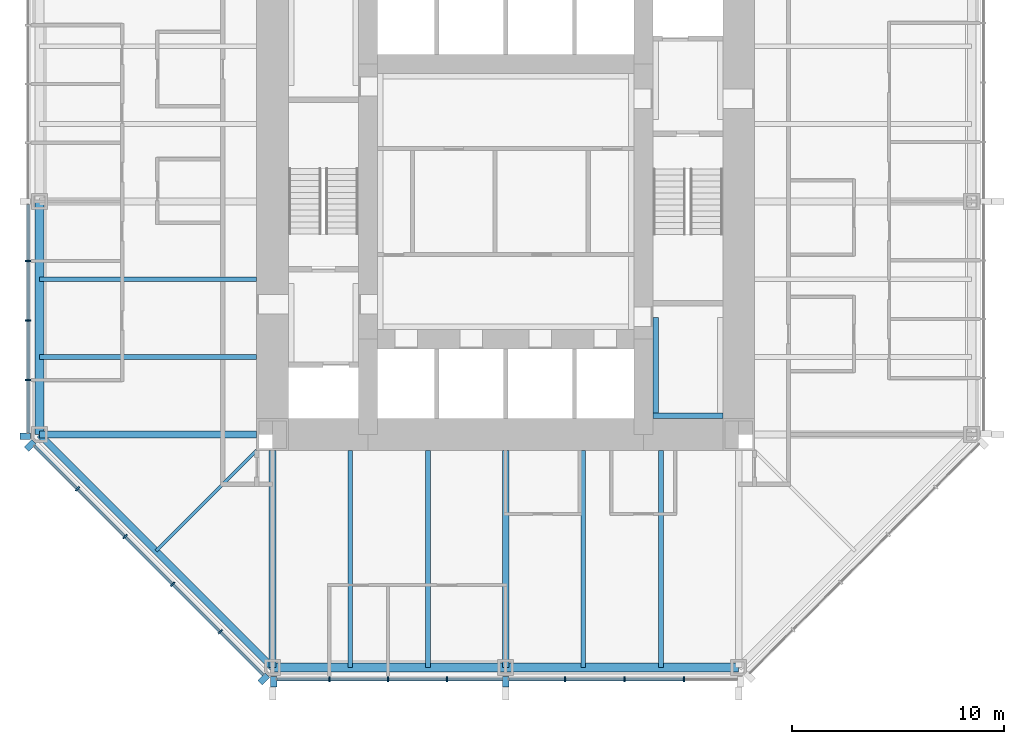
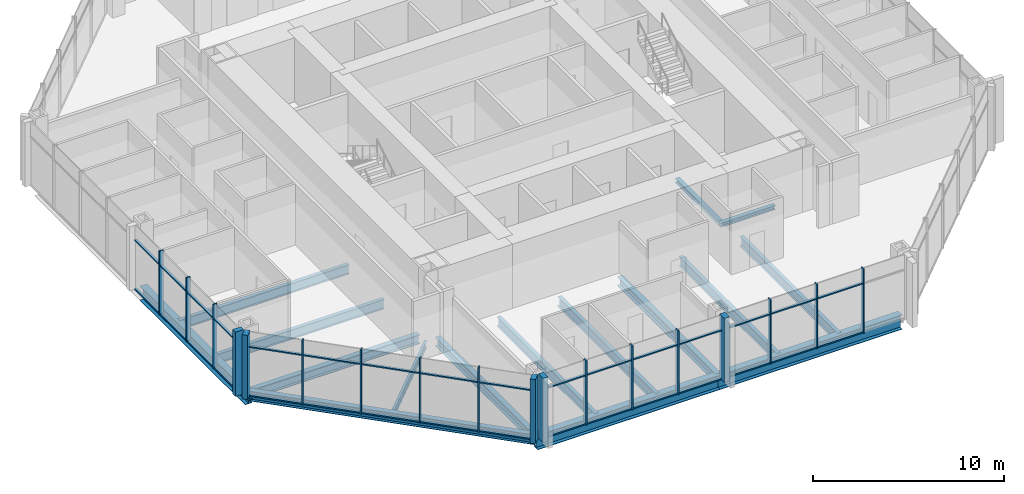
# One storey, part 2 of 12: 50 members, 16 beams, 3 elements without a shape of their own.
"""IFC4 building model written with IfcOpenShell, lengths in metres."""

from ifc_helpers import new_model, si_unit, direction, frame, origin, origin_2d, place, context, subcontext, project, spatial, rectangle, i_section, extrude, material, material_profile, profile_set, type_object, element, aggregate, save


model = new_model("IFC4")

# Units and contexts
model_context = context("Model", 3, precision=1e-05, world=origin(), true_north=direction((0.0, 1.0)))
body_context = subcontext(model_context, "Body", "Model", "MODEL_VIEW")
ifc_project = project(units=[si_unit("LENGTHUNIT", "METRE"), si_unit("AREAUNIT", "SQUARE_METRE"), si_unit("VOLUMEUNIT", "CUBIC_METRE"), si_unit("PLANEANGLEUNIT", "RADIAN"), si_unit("MASSUNIT", "GRAM", prefix="KILO")], contexts=[model_context])

# Site, building, storey
site_placement = place(None, origin())
site = spatial("IfcSite", under=ifc_project, at=site_placement, CompositionType="ELEMENT")
building_placement = place(site_placement, origin())
building = spatial("IfcBuilding", under=site, at=building_placement, Name="Trevanion Tower", CompositionType="ELEMENT")
storey_placement = place(building_placement, frame((0.0, 0.0, 121.300048828125)))
storey = spatial("IfcBuildingStorey", under=building, at=storey_placement, Name="L28", CompositionType="ELEMENT", Elevation=121.300048828125)

# Beams
ifc_material_1 = material(Name="Steel ASTM A992 Grade 50", Category="steel")
ifc_material_profile_1 = material_profile(ifc_material_1, i_section(OverallWidth=0.22900390625, OverallDepth=0.612060546875, WebThickness=0.011962890625, FlangeThickness=0.01953125, at=origin_2d()), Name="W24X84")
ifc_profile_set_1 = profile_set([ifc_material_profile_1], Name="Steel ASTM A992 Grade 50")
beam_type_1 = type_object("IfcBeamType", Name="B7 W24X84", PredefinedType="BEAM", material=ifc_profile_set_1)
for number, where, z_axis, x_axis, name in (
    (1, (-11.75, -3.666748046875, -0.49609375), (-1.0, 0.0, 0.0), (0.0, -1.0, 0.0), "B7 L28"),
    (2, (-11.75, -7.333251953125, -0.49609375), (-1.0, 0.0, 0.0), (0.0, -1.0, 0.0), "B7 L28"),
    (3, (-7.333251953125, -11.75, -0.49609375), (0.0, -1.0, 0.0), (1.0, 0.0, 0.0), "B7 L28"),
    (4, (-3.666748046875, -11.75, -0.49609375), (0.0, -1.0, 0.0), (1.0, 0.0, 0.0), "B7 L28"),
    (5, (3.666748046875, -11.75, -0.49609375), (0.0, -1.0, 0.0), (1.0, 0.0, 0.0), "B7 L28"),
    (6, (7.333251953125, -11.75, -0.49609375), (0.0, -1.0, 0.0), (1.0, 0.0, 0.0), "B7 L28"),
):
    element("IfcBeam", number, at=place(storey_placement, frame(where, z_axis=z_axis, x_axis=x_axis)), inside=storey, type_object=beam_type_1, Name=name, PredefinedType="BEAM", context=body_context, shape_type="SweptSolid", body=[
        extrude(i_section(OverallWidth=0.22900390625, OverallDepth=0.612060546875, WebThickness=0.011962890625, FlangeThickness=0.01953125, at=origin_2d()), origin(), (0.0, 0.0, 1.0), 10.25),
    ])
ifc_material_2 = material(Name="Steel ASTM A992 Grade 50", Category="steel")
ifc_material_profile_2 = material_profile(ifc_material_2, i_section(OverallWidth=0.15234375, OverallDepth=0.449462890625, WebThickness=0.007568359375, FlangeThickness=0.0107421875, at=origin_2d()), Name="W18X35")
ifc_profile_set_2 = profile_set([ifc_material_profile_2], Name="Steel ASTM A992 Grade 50")
beam_type_2 = type_object("IfcBeamType", Name="B8 W18X35", PredefinedType="BEAM", material=ifc_profile_set_2)
beam_1_placement = place(storey_placement, frame((-11.75, -11.75, -0.414794921875), z_axis=(-0.707106781187, -0.707106781187, 0.0), x_axis=(0.707106781187, -0.707106781187, 0.0)))
element("IfcBeam", 7, at=beam_1_placement, inside=storey, type_object=beam_type_2, Name="B8 L28", PredefinedType="BEAM", context=body_context, shape_type="SweptSolid", body=[
    extrude(i_section(OverallWidth=0.15234375, OverallDepth=0.449462890625, WebThickness=0.007568359375, FlangeThickness=0.0107421875, at=origin_2d()), origin(), (0.0, 0.0, 1.0), 6.717529296875),
])

# Curtain wall, members
ifc_material_3 = material(Name="Aluminium and glass", Category="aluminium")
curtain_wall_type = type_object("IfcCurtainWallType", Name="CW2 curtain wall", PredefinedType="USERDEFINED", material=ifc_material_3)
curtain_wall_1_placement = place(storey_placement, origin())
curtain_wall_1 = element("IfcCurtainWall", 8, at=curtain_wall_1_placement, inside=storey, type_object=curtain_wall_type, Name="CW2 L28 4", ObjectType="UNITISED CURTAIN WALL", PredefinedType="USERDEFINED")
ifc_material_4 = material(Name="Aluminium extrusion, anodised bronze", Category="aluminium")
ifc_material_profile_3 = material_profile(ifc_material_4, rectangle(XDim=0.074951171875, YDim=0.25, at=origin_2d()), Name="CW2 mullion")
ifc_profile_set_3 = profile_set([ifc_material_profile_3], Name="Aluminium extrusion, anodised bronze")
member_type_1 = type_object("IfcMemberType", Name="CW2 mullion", PredefinedType="MULLION", material=ifc_profile_set_3)
member_1_placement = place(storey_placement, frame((-22.550048828125, -2.806884765625, -0.18994140625), z_axis=(0.0, 0.0, 1.0), x_axis=(0.0, -1.0, 0.0)))
member_1 = element("IfcMember", 9, at=member_1_placement, type_object=member_type_1, Name="CW2 mullion 6", PredefinedType="MULLION", context=body_context, shape_type="SweptSolid", body=[
    extrude(rectangle(XDim=0.074951171875, YDim=0.25, at=origin_2d()), origin(), (0.0, 0.0, 1.0), 4.099853515625),
])
member_2_placement = place(storey_placement, frame((-22.550048828125, -5.614013671875, -0.18994140625), z_axis=(0.0, 0.0, 1.0), x_axis=(0.0, -1.0, 0.0)))
member_2 = element("IfcMember", 10, at=member_2_placement, type_object=member_type_1, Name="CW2 mullion 7", PredefinedType="MULLION", context=body_context, shape_type="SweptSolid", body=[
    extrude(rectangle(XDim=0.074951171875, YDim=0.25, at=origin_2d()), origin(), (0.0, 0.0, 1.0), 4.099853515625),
])
member_3_placement = place(storey_placement, frame((-22.550048828125, -8.4208984375, -0.18994140625), z_axis=(0.0, 0.0, 1.0), x_axis=(0.0, -1.0, 0.0)))
member_3 = element("IfcMember", 11, at=member_3_placement, type_object=member_type_1, Name="CW2 mullion 8", PredefinedType="MULLION", context=body_context, shape_type="SweptSolid", body=[
    extrude(rectangle(XDim=0.074951171875, YDim=0.25, at=origin_2d()), origin(), (0.0, 0.0, 1.0), 4.099853515625),
])

curtain_wall_2_placement = place(storey_placement, origin())
curtain_wall_2 = element("IfcCurtainWall", 12, at=curtain_wall_2_placement, inside=storey, type_object=curtain_wall_type, Name="CW2 L28 5", ObjectType="UNITISED CURTAIN WALL", PredefinedType="USERDEFINED")
member_4_placement = place(storey_placement, frame((-20.2119140625, -13.56591796875, -0.18994140625), z_axis=(0.0, 0.0, 1.0), x_axis=(0.707106781187, -0.707106781187, 0.0)))
member_4 = element("IfcMember", 13, at=member_4_placement, type_object=member_type_1, Name="CW2 mullion 2", PredefinedType="MULLION", context=body_context, shape_type="SweptSolid", body=[
    extrude(rectangle(XDim=0.074951171875, YDim=0.25, at=origin_2d()), origin(), (0.0, 0.0, 1.0), 4.099853515625),
])
member_5_placement = place(storey_placement, frame((-17.966064453125, -15.811767578125, -0.18994140625), z_axis=(0.0, 0.0, 1.0), x_axis=(0.707106781187, -0.707106781187, 0.0)))
member_5 = element("IfcMember", 14, at=member_5_placement, type_object=member_type_1, Name="CW2 mullion 3", PredefinedType="MULLION", context=body_context, shape_type="SweptSolid", body=[
    extrude(rectangle(XDim=0.074951171875, YDim=0.25, at=origin_2d()), origin(), (0.0, 0.0, 1.0), 4.099853515625),
])
member_6_placement = place(storey_placement, frame((-15.719970703125, -18.057861328125, -0.18994140625), z_axis=(0.0, 0.0, 1.0), x_axis=(0.707106781187, -0.707106781187, 0.0)))
member_6 = element("IfcMember", 15, at=member_6_placement, type_object=member_type_1, Name="CW2 mullion 4", PredefinedType="MULLION", context=body_context, shape_type="SweptSolid", body=[
    extrude(rectangle(XDim=0.074951171875, YDim=0.25, at=origin_2d()), origin(), (0.0, 0.0, 1.0), 4.099853515625),
])
member_7_placement = place(storey_placement, frame((-13.473876953125, -20.303955078125, -0.18994140625), z_axis=(0.0, 0.0, 1.0), x_axis=(0.707106781187, -0.707106781187, 0.0)))
member_7 = element("IfcMember", 16, at=member_7_placement, type_object=member_type_1, Name="CW2 mullion 5", PredefinedType="MULLION", context=body_context, shape_type="SweptSolid", body=[
    extrude(rectangle(XDim=0.074951171875, YDim=0.25, at=origin_2d()), origin(), (0.0, 0.0, 1.0), 4.099853515625),
])

curtain_wall_3_placement = place(storey_placement, origin())
curtain_wall_3 = element("IfcCurtainWall", 17, at=curtain_wall_3_placement, inside=storey, type_object=curtain_wall_type, Name="CW2 L28 6", ObjectType="UNITISED CURTAIN WALL", PredefinedType="USERDEFINED")
member_8_placement = place(storey_placement, frame((-8.323486328125, -22.550048828125, -0.18994140625), z_axis=(0.0, 0.0, 1.0), x_axis=(1.0, 0.0, 0.0)))
member_8 = element("IfcMember", 18, at=member_8_placement, type_object=member_type_1, Name="CW2 mullion 2", PredefinedType="MULLION", context=body_context, shape_type="SweptSolid", body=[
    extrude(rectangle(XDim=0.074951171875, YDim=0.25, at=origin_2d()), origin(), (0.0, 0.0, 1.0), 4.099853515625),
])
member_9_placement = place(storey_placement, frame((-5.548828125, -22.550048828125, -0.18994140625), z_axis=(0.0, 0.0, 1.0), x_axis=(1.0, 0.0, 0.0)))
member_9 = element("IfcMember", 19, at=member_9_placement, type_object=member_type_1, Name="CW2 mullion 3", PredefinedType="MULLION", context=body_context, shape_type="SweptSolid", body=[
    extrude(rectangle(XDim=0.074951171875, YDim=0.25, at=origin_2d()), origin(), (0.0, 0.0, 1.0), 4.099853515625),
])
member_10_placement = place(storey_placement, frame((-2.7744140625, -22.550048828125, -0.18994140625), z_axis=(0.0, 0.0, 1.0), x_axis=(1.0, 0.0, 0.0)))
member_10 = element("IfcMember", 20, at=member_10_placement, type_object=member_type_1, Name="CW2 mullion 4", PredefinedType="MULLION", context=body_context, shape_type="SweptSolid", body=[
    extrude(rectangle(XDim=0.074951171875, YDim=0.25, at=origin_2d()), origin(), (0.0, 0.0, 1.0), 4.099853515625),
])
member_11_placement = place(storey_placement, frame((2.806884765625, -22.550048828125, -0.18994140625), z_axis=(0.0, 0.0, 1.0), x_axis=(1.0, 0.0, 0.0)))
member_11 = element("IfcMember", 21, at=member_11_placement, type_object=member_type_1, Name="CW2 mullion 6", PredefinedType="MULLION", context=body_context, shape_type="SweptSolid", body=[
    extrude(rectangle(XDim=0.074951171875, YDim=0.25, at=origin_2d()), origin(), (0.0, 0.0, 1.0), 4.099853515625),
])
member_12_placement = place(storey_placement, frame((5.614013671875, -22.550048828125, -0.18994140625), z_axis=(0.0, 0.0, 1.0), x_axis=(1.0, 0.0, 0.0)))
member_12 = element("IfcMember", 22, at=member_12_placement, type_object=member_type_1, Name="CW2 mullion 7", PredefinedType="MULLION", context=body_context, shape_type="SweptSolid", body=[
    extrude(rectangle(XDim=0.074951171875, YDim=0.25, at=origin_2d()), origin(), (0.0, 0.0, 1.0), 4.099853515625),
])
member_13_placement = place(storey_placement, frame((8.4208984375, -22.550048828125, -0.18994140625), z_axis=(0.0, 0.0, 1.0), x_axis=(1.0, 0.0, 0.0)))
member_13 = element("IfcMember", 23, at=member_13_placement, type_object=member_type_1, Name="CW2 mullion 8", PredefinedType="MULLION", context=body_context, shape_type="SweptSolid", body=[
    extrude(rectangle(XDim=0.074951171875, YDim=0.25, at=origin_2d()), origin(), (0.0, 0.0, 1.0), 4.099853515625),
])

# Member
ifc_material_5 = material(Name="Aluminium extrusion, anodised bronze", Category="aluminium")
ifc_material_profile_4 = material_profile(ifc_material_5, rectangle(XDim=0.300048828125, YDim=0.5, at=origin_2d()), Name="CW2 pier mullion")
ifc_profile_set_4 = profile_set([ifc_material_profile_4], Name="Aluminium extrusion, anodised bronze")
member_type_2 = type_object("IfcMemberType", Name="CW2 pier mullion", PredefinedType="MULLION", material=ifc_profile_set_4)
member_14_placement = place(storey_placement, frame((-22.675048828125, -11.077880859375, -0.18994140625), z_axis=(0.0, 0.0, 1.0), x_axis=(0.0, -1.0, 0.0)))
member_14 = element("IfcMember", 24, at=member_14_placement, type_object=member_type_2, Name="CW2 pier mullion 9", PredefinedType="MULLION", context=body_context, shape_type="SweptSolid", body=[
    extrude(rectangle(XDim=0.300048828125, YDim=0.5, at=origin_2d()), origin(), (0.0, 0.0, 1.0), 4.099853515625),
])

member_15_placement = place(storey_placement, frame((-22.4404296875, -11.51416015625, -0.18994140625), z_axis=(0.0, 0.0, 1.0), x_axis=(0.707106781187, -0.707106781187, 0.0)))
member_15 = element("IfcMember", 25, at=member_15_placement, type_object=member_type_2, Name="CW2 pier mullion 1", PredefinedType="MULLION", context=body_context, shape_type="SweptSolid", body=[
    extrude(rectangle(XDim=0.300048828125, YDim=0.5, at=origin_2d()), origin(), (0.0, 0.0, 1.0), 4.099853515625),
])

member_16_placement = place(storey_placement, frame((-11.42236328125, -22.5322265625, -0.18994140625), z_axis=(0.0, 0.0, 1.0), x_axis=(0.707106781187, -0.707106781187, 0.0)))
member_16 = element("IfcMember", 26, at=member_16_placement, type_object=member_type_2, Name="CW2 pier mullion 6", PredefinedType="MULLION", context=body_context, shape_type="SweptSolid", body=[
    extrude(rectangle(XDim=0.300048828125, YDim=0.5, at=origin_2d()), origin(), (0.0, 0.0, 1.0), 4.099853515625),
])

member_17_placement = place(storey_placement, frame((-10.94775390625, -22.675048828125, -0.18994140625), z_axis=(0.0, 0.0, 1.0), x_axis=(1.0, 0.0, 0.0)))
member_17 = element("IfcMember", 27, at=member_17_placement, type_object=member_type_2, Name="CW2 pier mullion 1", PredefinedType="MULLION", context=body_context, shape_type="SweptSolid", body=[
    extrude(rectangle(XDim=0.300048828125, YDim=0.5, at=origin_2d()), origin(), (0.0, 0.0, 1.0), 4.099853515625),
])

member_18_placement = place(storey_placement, frame((0.0, -22.675048828125, -0.18994140625), z_axis=(0.0, 0.0, 1.0), x_axis=(1.0, 0.0, 0.0)))
member_18 = element("IfcMember", 28, at=member_18_placement, type_object=member_type_2, Name="CW2 pier mullion 5", PredefinedType="MULLION", context=body_context, shape_type="SweptSolid", body=[
    extrude(rectangle(XDim=0.300048828125, YDim=0.5, at=origin_2d()), origin(), (0.0, 0.0, 1.0), 4.099853515625),
])

ifc_material_6 = material(Name="Aluminium extrusion, anodised bronze", Category="aluminium")
ifc_material_profile_5 = material_profile(ifc_material_6, rectangle(XDim=0.14990234375, YDim=0.074951171875, at=origin_2d()), Name="CW2 transom")
ifc_profile_set_5 = profile_set([ifc_material_profile_5], Name="Aluminium extrusion, anodised bronze")
member_type_3 = type_object("IfcMemberType", Name="CW2 transom", PredefinedType="USERDEFINED", material=ifc_profile_set_5)
member_19_placement = place(storey_placement, frame((-22.550048828125, -0.14990234375, -0.152587890625), z_axis=(0.0, -1.0, 0.0), x_axis=(1.0, 0.0, 0.0)))
member_19 = element("IfcMember", 29, at=member_19_placement, type_object=member_type_3, Name="CW2 transom 5.1", ObjectType="TRANSOM", PredefinedType="USERDEFINED", context=body_context, shape_type="SweptSolid", body=[
    extrude(rectangle(XDim=0.14990234375, YDim=0.074951171875, at=origin_2d()), origin(), (0.0, 0.0, 1.0), 2.619384765625),
])

member_20_placement = place(storey_placement, frame((-22.550048828125, -0.14990234375, 2.9599609375), z_axis=(0.0, -1.0, 0.0), x_axis=(1.0, 0.0, 0.0)))
member_20 = element("IfcMember", 30, at=member_20_placement, type_object=member_type_3, Name="CW2 transom 5.2", ObjectType="TRANSOM", PredefinedType="USERDEFINED", context=body_context, shape_type="SweptSolid", body=[
    extrude(rectangle(XDim=0.14990234375, YDim=0.074951171875, at=origin_2d()), origin(), (0.0, 0.0, 1.0), 2.619384765625),
])

member_21_placement = place(storey_placement, frame((-22.550048828125, -2.844482421875, -0.152587890625), z_axis=(0.0, -1.0, 0.0), x_axis=(1.0, 0.0, 0.0)))
member_21 = element("IfcMember", 31, at=member_21_placement, type_object=member_type_3, Name="CW2 transom 6.1", ObjectType="TRANSOM", PredefinedType="USERDEFINED", context=body_context, shape_type="SweptSolid", body=[
    extrude(rectangle(XDim=0.14990234375, YDim=0.074951171875, at=origin_2d()), origin(), (0.0, 0.0, 1.0), 2.73193359375),
])

member_22_placement = place(storey_placement, frame((-22.550048828125, -2.844482421875, 2.9599609375), z_axis=(0.0, -1.0, 0.0), x_axis=(1.0, 0.0, 0.0)))
member_22 = element("IfcMember", 32, at=member_22_placement, type_object=member_type_3, Name="CW2 transom 6.2", ObjectType="TRANSOM", PredefinedType="USERDEFINED", context=body_context, shape_type="SweptSolid", body=[
    extrude(rectangle(XDim=0.14990234375, YDim=0.074951171875, at=origin_2d()), origin(), (0.0, 0.0, 1.0), 2.73193359375),
])

member_23_placement = place(storey_placement, frame((-22.550048828125, -5.6513671875, -0.152587890625), z_axis=(0.0, -1.0, 0.0), x_axis=(1.0, 0.0, 0.0)))
member_23 = element("IfcMember", 33, at=member_23_placement, type_object=member_type_3, Name="CW2 transom 7.1", ObjectType="TRANSOM", PredefinedType="USERDEFINED", context=body_context, shape_type="SweptSolid", body=[
    extrude(rectangle(XDim=0.14990234375, YDim=0.074951171875, at=origin_2d()), origin(), (0.0, 0.0, 1.0), 2.73193359375),
])

member_24_placement = place(storey_placement, frame((-22.550048828125, -5.6513671875, 2.9599609375), z_axis=(0.0, -1.0, 0.0), x_axis=(1.0, 0.0, 0.0)))
member_24 = element("IfcMember", 34, at=member_24_placement, type_object=member_type_3, Name="CW2 transom 7.2", ObjectType="TRANSOM", PredefinedType="USERDEFINED", context=body_context, shape_type="SweptSolid", body=[
    extrude(rectangle(XDim=0.14990234375, YDim=0.074951171875, at=origin_2d()), origin(), (0.0, 0.0, 1.0), 2.73193359375),
])

member_25_placement = place(storey_placement, frame((-22.550048828125, -8.45849609375, -0.152587890625), z_axis=(0.0, -1.0, 0.0), x_axis=(1.0, 0.0, 0.0)))
member_25 = element("IfcMember", 35, at=member_25_placement, type_object=member_type_3, Name="CW2 transom 8.1", ObjectType="TRANSOM", PredefinedType="USERDEFINED", context=body_context, shape_type="SweptSolid", body=[
    extrude(rectangle(XDim=0.14990234375, YDim=0.074951171875, at=origin_2d()), origin(), (0.0, 0.0, 1.0), 2.46923828125),
])

member_26_placement = place(storey_placement, frame((-22.550048828125, -8.45849609375, 2.9599609375), z_axis=(0.0, -1.0, 0.0), x_axis=(1.0, 0.0, 0.0)))
member_26 = element("IfcMember", 36, at=member_26_placement, type_object=member_type_3, Name="CW2 transom 8.2", ObjectType="TRANSOM", PredefinedType="USERDEFINED", context=body_context, shape_type="SweptSolid", body=[
    extrude(rectangle(XDim=0.14990234375, YDim=0.074951171875, at=origin_2d()), origin(), (0.0, 0.0, 1.0), 2.46923828125),
])

aggregate(curtain_wall_1, [member_1, member_2, member_3, member_14, member_19, member_20, member_21, member_22, member_23, member_24, member_25, member_26])

member_27_placement = place(storey_placement, frame((-22.245849609375, -11.531982421875, -0.152587890625), z_axis=(0.707106781187, -0.707106781187, 0.0), x_axis=(0.707106781187, 0.707106781187, 0.0)))
member_27 = element("IfcMember", 37, at=member_27_placement, type_object=member_type_3, Name="CW2 transom 1.1", ObjectType="TRANSOM", PredefinedType="USERDEFINED", context=body_context, shape_type="SweptSolid", body=[
    extrude(rectangle(XDim=0.14990234375, YDim=0.074951171875, at=origin_2d()), origin(), (0.0, 0.0, 1.0), 2.8388671875),
])

member_28_placement = place(storey_placement, frame((-22.245849609375, -11.531982421875, 2.9599609375), z_axis=(0.707106781187, -0.707106781187, 0.0), x_axis=(0.707106781187, 0.707106781187, 0.0)))
member_28 = element("IfcMember", 38, at=member_28_placement, type_object=member_type_3, Name="CW2 transom 1.2", ObjectType="TRANSOM", PredefinedType="USERDEFINED", context=body_context, shape_type="SweptSolid", body=[
    extrude(rectangle(XDim=0.14990234375, YDim=0.074951171875, at=origin_2d()), origin(), (0.0, 0.0, 1.0), 2.8388671875),
])

member_29_placement = place(storey_placement, frame((-20.185546875, -13.59228515625, -0.152587890625), z_axis=(0.707106781187, -0.707106781187, 0.0), x_axis=(0.707106781187, 0.707106781187, 0.0)))
member_29 = element("IfcMember", 39, at=member_29_placement, type_object=member_type_3, Name="CW2 transom 2.1", ObjectType="TRANSOM", PredefinedType="USERDEFINED", context=body_context, shape_type="SweptSolid", body=[
    extrude(rectangle(XDim=0.14990234375, YDim=0.074951171875, at=origin_2d()), origin(), (0.0, 0.0, 1.0), 3.1015625),
])

member_30_placement = place(storey_placement, frame((-20.185546875, -13.59228515625, 2.9599609375), z_axis=(0.707106781187, -0.707106781187, 0.0), x_axis=(0.707106781187, 0.707106781187, 0.0)))
member_30 = element("IfcMember", 40, at=member_30_placement, type_object=member_type_3, Name="CW2 transom 2.2", ObjectType="TRANSOM", PredefinedType="USERDEFINED", context=body_context, shape_type="SweptSolid", body=[
    extrude(rectangle(XDim=0.14990234375, YDim=0.074951171875, at=origin_2d()), origin(), (0.0, 0.0, 1.0), 3.1015625),
])

member_31_placement = place(storey_placement, frame((-17.939453125, -15.83837890625, -0.152587890625), z_axis=(0.707106781187, -0.707106781187, 0.0), x_axis=(0.707106781187, 0.707106781187, 0.0)))
member_31 = element("IfcMember", 41, at=member_31_placement, type_object=member_type_3, Name="CW2 transom 3.1", ObjectType="TRANSOM", PredefinedType="USERDEFINED", context=body_context, shape_type="SweptSolid", body=[
    extrude(rectangle(XDim=0.14990234375, YDim=0.074951171875, at=origin_2d()), origin(), (0.0, 0.0, 1.0), 3.1015625),
])

member_32_placement = place(storey_placement, frame((-17.939453125, -15.83837890625, 2.9599609375), z_axis=(0.707106781187, -0.707106781187, 0.0), x_axis=(0.707106781187, 0.707106781187, 0.0)))
member_32 = element("IfcMember", 42, at=member_32_placement, type_object=member_type_3, Name="CW2 transom 3.2", ObjectType="TRANSOM", PredefinedType="USERDEFINED", context=body_context, shape_type="SweptSolid", body=[
    extrude(rectangle(XDim=0.14990234375, YDim=0.074951171875, at=origin_2d()), origin(), (0.0, 0.0, 1.0), 3.1015625),
])

member_33_placement = place(storey_placement, frame((-15.693359375, -18.08447265625, -0.152587890625), z_axis=(0.707106781187, -0.707106781187, 0.0), x_axis=(0.707106781187, 0.707106781187, 0.0)))
member_33 = element("IfcMember", 43, at=member_33_placement, type_object=member_type_3, Name="CW2 transom 4.1", ObjectType="TRANSOM", PredefinedType="USERDEFINED", context=body_context, shape_type="SweptSolid", body=[
    extrude(rectangle(XDim=0.14990234375, YDim=0.074951171875, at=origin_2d()), origin(), (0.0, 0.0, 1.0), 3.10107421875),
])

member_34_placement = place(storey_placement, frame((-15.693359375, -18.08447265625, 2.9599609375), z_axis=(0.707106781187, -0.707106781187, 0.0), x_axis=(0.707106781187, 0.707106781187, 0.0)))
member_34 = element("IfcMember", 44, at=member_34_placement, type_object=member_type_3, Name="CW2 transom 4.2", ObjectType="TRANSOM", PredefinedType="USERDEFINED", context=body_context, shape_type="SweptSolid", body=[
    extrude(rectangle(XDim=0.14990234375, YDim=0.074951171875, at=origin_2d()), origin(), (0.0, 0.0, 1.0), 3.10107421875),
])

member_35_placement = place(storey_placement, frame((-13.447509765625, -20.33056640625, -0.152587890625), z_axis=(0.707149778163, -0.707063781595, 0.0), x_axis=(0.707063781595, 0.707149778163, 0.0)))
member_35 = element("IfcMember", 45, at=member_35_placement, type_object=member_type_3, Name="CW2 transom 5.1", ObjectType="TRANSOM", PredefinedType="USERDEFINED", context=body_context, shape_type="SweptSolid", body=[
    extrude(rectangle(XDim=0.14990234375, YDim=0.074951171875, at=origin_2d()), origin(), (0.0, 0.0, 1.0), 2.8388671875),
])

member_36_placement = place(storey_placement, frame((-13.447509765625, -20.33056640625, 2.9599609375), z_axis=(0.707149778163, -0.707063781595, 0.0), x_axis=(0.707063781595, 0.707149778163, 0.0)))
member_36 = element("IfcMember", 46, at=member_36_placement, type_object=member_type_3, Name="CW2 transom 5.2", ObjectType="TRANSOM", PredefinedType="USERDEFINED", context=body_context, shape_type="SweptSolid", body=[
    extrude(rectangle(XDim=0.14990234375, YDim=0.074951171875, at=origin_2d()), origin(), (0.0, 0.0, 1.0), 2.8388671875),
])

aggregate(curtain_wall_2, [member_15, member_4, member_5, member_6, member_7, member_16, member_27, member_28, member_29, member_30, member_31, member_32, member_33, member_34, member_35, member_36])

member_37_placement = place(storey_placement, frame((-10.7978515625, -22.550048828125, -0.152587890625), z_axis=(1.0, 0.0, 0.0), x_axis=(0.0, 1.0, 0.0)))
member_37 = element("IfcMember", 47, at=member_37_placement, type_object=member_type_3, Name="CW2 transom 1.1", ObjectType="TRANSOM", PredefinedType="USERDEFINED", context=body_context, shape_type="SweptSolid", body=[
    extrude(rectangle(XDim=0.14990234375, YDim=0.074951171875, at=origin_2d()), origin(), (0.0, 0.0, 1.0), 2.43701171875),
])

member_38_placement = place(storey_placement, frame((-10.7978515625, -22.550048828125, 2.9599609375), z_axis=(1.0, 0.0, 0.0), x_axis=(0.0, 1.0, 0.0)))
member_38 = element("IfcMember", 48, at=member_38_placement, type_object=member_type_3, Name="CW2 transom 1.2", ObjectType="TRANSOM", PredefinedType="USERDEFINED", context=body_context, shape_type="SweptSolid", body=[
    extrude(rectangle(XDim=0.14990234375, YDim=0.074951171875, at=origin_2d()), origin(), (0.0, 0.0, 1.0), 2.43701171875),
])

member_39_placement = place(storey_placement, frame((-8.285888671875, -22.550048828125, -0.152587890625), z_axis=(1.0, 0.0, 0.0), x_axis=(0.0, 1.0, 0.0)))
member_39 = element("IfcMember", 49, at=member_39_placement, type_object=member_type_3, Name="CW2 transom 2.1", ObjectType="TRANSOM", PredefinedType="USERDEFINED", context=body_context, shape_type="SweptSolid", body=[
    extrude(rectangle(XDim=0.14990234375, YDim=0.074951171875, at=origin_2d()), origin(), (0.0, 0.0, 1.0), 2.699462890625),
])

member_40_placement = place(storey_placement, frame((-8.285888671875, -22.550048828125, 2.9599609375), z_axis=(1.0, 0.0, 0.0), x_axis=(0.0, 1.0, 0.0)))
member_40 = element("IfcMember", 50, at=member_40_placement, type_object=member_type_3, Name="CW2 transom 2.2", ObjectType="TRANSOM", PredefinedType="USERDEFINED", context=body_context, shape_type="SweptSolid", body=[
    extrude(rectangle(XDim=0.14990234375, YDim=0.074951171875, at=origin_2d()), origin(), (0.0, 0.0, 1.0), 2.699462890625),
])

member_41_placement = place(storey_placement, frame((-5.511474609375, -22.550048828125, -0.152587890625), z_axis=(1.0, 0.0, 0.0), x_axis=(0.0, 1.0, 0.0)))
member_41 = element("IfcMember", 51, at=member_41_placement, type_object=member_type_3, Name="CW2 transom 3.1", ObjectType="TRANSOM", PredefinedType="USERDEFINED", context=body_context, shape_type="SweptSolid", body=[
    extrude(rectangle(XDim=0.14990234375, YDim=0.074951171875, at=origin_2d()), origin(), (0.0, 0.0, 1.0), 2.699462890625),
])

member_42_placement = place(storey_placement, frame((-5.511474609375, -22.550048828125, 2.9599609375), z_axis=(1.0, 0.0, 0.0), x_axis=(0.0, 1.0, 0.0)))
member_42 = element("IfcMember", 52, at=member_42_placement, type_object=member_type_3, Name="CW2 transom 3.2", ObjectType="TRANSOM", PredefinedType="USERDEFINED", context=body_context, shape_type="SweptSolid", body=[
    extrude(rectangle(XDim=0.14990234375, YDim=0.074951171875, at=origin_2d()), origin(), (0.0, 0.0, 1.0), 2.699462890625),
])

member_43_placement = place(storey_placement, frame((-2.737060546875, -22.550048828125, -0.152587890625), z_axis=(1.0, 0.0, 0.0), x_axis=(0.0, 1.0, 0.0)))
member_43 = element("IfcMember", 53, at=member_43_placement, type_object=member_type_3, Name="CW2 transom 4.1", ObjectType="TRANSOM", PredefinedType="USERDEFINED", context=body_context, shape_type="SweptSolid", body=[
    extrude(rectangle(XDim=0.14990234375, YDim=0.074951171875, at=origin_2d()), origin(), (0.0, 0.0, 1.0), 2.587158203125),
])

member_44_placement = place(storey_placement, frame((-2.737060546875, -22.550048828125, 2.9599609375), z_axis=(1.0, 0.0, 0.0), x_axis=(0.0, 1.0, 0.0)))
member_44 = element("IfcMember", 54, at=member_44_placement, type_object=member_type_3, Name="CW2 transom 4.2", ObjectType="TRANSOM", PredefinedType="USERDEFINED", context=body_context, shape_type="SweptSolid", body=[
    extrude(rectangle(XDim=0.14990234375, YDim=0.074951171875, at=origin_2d()), origin(), (0.0, 0.0, 1.0), 2.587158203125),
])

member_45_placement = place(storey_placement, frame((0.14990234375, -22.550048828125, -0.152587890625), z_axis=(1.0, 0.0, 0.0), x_axis=(0.0, 1.0, 0.0)))
member_45 = element("IfcMember", 55, at=member_45_placement, type_object=member_type_3, Name="CW2 transom 5.1", ObjectType="TRANSOM", PredefinedType="USERDEFINED", context=body_context, shape_type="SweptSolid", body=[
    extrude(rectangle(XDim=0.14990234375, YDim=0.074951171875, at=origin_2d()), origin(), (0.0, 0.0, 1.0), 2.619384765625),
])

member_46_placement = place(storey_placement, frame((0.14990234375, -22.550048828125, 2.9599609375), z_axis=(1.0, 0.0, 0.0), x_axis=(0.0, 1.0, 0.0)))
member_46 = element("IfcMember", 56, at=member_46_placement, type_object=member_type_3, Name="CW2 transom 5.2", ObjectType="TRANSOM", PredefinedType="USERDEFINED", context=body_context, shape_type="SweptSolid", body=[
    extrude(rectangle(XDim=0.14990234375, YDim=0.074951171875, at=origin_2d()), origin(), (0.0, 0.0, 1.0), 2.619384765625),
])

member_47_placement = place(storey_placement, frame((2.844482421875, -22.550048828125, -0.152587890625), z_axis=(1.0, 0.0, 0.0), x_axis=(0.0, 1.0, 0.0)))
member_47 = element("IfcMember", 57, at=member_47_placement, type_object=member_type_3, Name="CW2 transom 6.1", ObjectType="TRANSOM", PredefinedType="USERDEFINED", context=body_context, shape_type="SweptSolid", body=[
    extrude(rectangle(XDim=0.14990234375, YDim=0.074951171875, at=origin_2d()), origin(), (0.0, 0.0, 1.0), 2.73193359375),
])

member_48_placement = place(storey_placement, frame((2.844482421875, -22.550048828125, 2.9599609375), z_axis=(1.0, 0.0, 0.0), x_axis=(0.0, 1.0, 0.0)))
member_48 = element("IfcMember", 58, at=member_48_placement, type_object=member_type_3, Name="CW2 transom 6.2", ObjectType="TRANSOM", PredefinedType="USERDEFINED", context=body_context, shape_type="SweptSolid", body=[
    extrude(rectangle(XDim=0.14990234375, YDim=0.074951171875, at=origin_2d()), origin(), (0.0, 0.0, 1.0), 2.73193359375),
])

member_49_placement = place(storey_placement, frame((5.6513671875, -22.550048828125, -0.152587890625), z_axis=(1.0, 0.0, 0.0), x_axis=(0.0, 1.0, 0.0)))
member_49 = element("IfcMember", 59, at=member_49_placement, type_object=member_type_3, Name="CW2 transom 7.1", ObjectType="TRANSOM", PredefinedType="USERDEFINED", context=body_context, shape_type="SweptSolid", body=[
    extrude(rectangle(XDim=0.14990234375, YDim=0.074951171875, at=origin_2d()), origin(), (0.0, 0.0, 1.0), 2.73193359375),
])

member_50_placement = place(storey_placement, frame((5.6513671875, -22.550048828125, 2.9599609375), z_axis=(1.0, 0.0, 0.0), x_axis=(0.0, 1.0, 0.0)))
member_50 = element("IfcMember", 60, at=member_50_placement, type_object=member_type_3, Name="CW2 transom 7.2", ObjectType="TRANSOM", PredefinedType="USERDEFINED", context=body_context, shape_type="SweptSolid", body=[
    extrude(rectangle(XDim=0.14990234375, YDim=0.074951171875, at=origin_2d()), origin(), (0.0, 0.0, 1.0), 2.73193359375),
])

aggregate(curtain_wall_3, [member_17, member_8, member_9, member_10, member_18, member_11, member_12, member_13, member_37, member_38, member_39, member_40, member_41, member_42, member_43, member_44, member_45, member_46, member_47, member_48, member_49, member_50])

# Beams
ifc_material_7 = material(Name="Steel ASTM A992 Grade 50", Category="steel")
ifc_material_profile_6 = material_profile(ifc_material_7, i_section(OverallWidth=0.320068359375, OverallDepth=0.584228515625, WebThickness=0.023193359375, FlangeThickness=0.04150390625, at=origin_2d()), Name="W21X201")
ifc_profile_set_6 = profile_set([ifc_material_profile_6], Name="Steel ASTM A992 Grade 50")
beam_type_3 = type_object("IfcBeamType", Name="G4 W21X201", PredefinedType="BEAM", material=ifc_profile_set_6)
for number, where, z_axis, x_axis, name in (
    (61, (-11.75, -11.0, -0.482177734375), (-1.0, 0.0, 0.0), (0.0, -1.0, 0.0), "G4 L28"),
    (62, (-11.0, -11.75, -0.482177734375), (0.0, -1.0, 0.0), (1.0, 0.0, 0.0), "G4 L28"),
    (63, (0.0, -11.75, -0.482177734375), (0.0, -1.0, 0.0), (1.0, 0.0, 0.0), "G4 L28"),
):
    element("IfcBeam", number, at=place(storey_placement, frame(where, z_axis=z_axis, x_axis=x_axis)), inside=storey, type_object=beam_type_3, Name=name, PredefinedType="BEAM", context=body_context, shape_type="SweptSolid", body=[
        extrude(i_section(OverallWidth=0.320068359375, OverallDepth=0.584228515625, WebThickness=0.023193359375, FlangeThickness=0.04150390625, at=origin_2d()), origin(), (0.0, 0.0, 1.0), 10.25),
    ])
ifc_material_8 = material(Name="Steel ASTM A992 Grade 50", Category="steel")
ifc_material_profile_7 = material_profile(ifc_material_8, i_section(OverallWidth=0.256591796875, OverallDepth=0.26416015625, WebThickness=0.011962890625, FlangeThickness=0.01953125, at=origin_2d()), Name="W10X68")
ifc_profile_set_7 = profile_set([ifc_material_profile_7], Name="Steel ASTM A992 Grade 50")
beam_type_4 = type_object("IfcBeamType", Name="LB1 W10X68", PredefinedType="BEAM", material=ifc_profile_set_7)
beam_2_placement = place(storey_placement, frame((7.078369140625, -10.25, -0.33203125), z_axis=(0.0, 1.0, 0.0), x_axis=(-1.0, 0.0, 0.0)))
element("IfcBeam", 64, at=beam_2_placement, inside=storey, type_object=beam_type_4, Name="LB1 L28", PredefinedType="BEAM", context=body_context, shape_type="SweptSolid", body=[
    extrude(i_section(OverallWidth=0.256591796875, OverallDepth=0.26416015625, WebThickness=0.011962890625, FlangeThickness=0.01953125, at=origin_2d()), origin(), (0.0, 0.0, 1.0), 4.77490234375),
])
beam_3_placement = place(storey_placement, frame((6.949951171875, -10.12158203125, -0.33203125), z_axis=(1.0, 0.0, 0.0), x_axis=(0.0, 1.0, 0.0)))
element("IfcBeam", 65, at=beam_3_placement, inside=storey, type_object=beam_type_4, Name="LB1 L28", PredefinedType="BEAM", context=body_context, shape_type="SweptSolid", body=[
    extrude(i_section(OverallWidth=0.256591796875, OverallDepth=0.26416015625, WebThickness=0.011962890625, FlangeThickness=0.01953125, at=origin_2d()), origin(), (0.0, 0.0, 1.0), 3.300048828125),
])
ifc_material_9 = material(Name="Steel ASTM A992 Grade 50", Category="steel")
ifc_material_profile_8 = material_profile(ifc_material_9, i_section(OverallWidth=0.419189453125, OverallDepth=0.927001953125, WebThickness=0.019287109375, FlangeThickness=0.031982421875, at=origin_2d()), Name="W36X231")
ifc_profile_set_8 = profile_set([ifc_material_profile_8], Name="Steel ASTM A992 Grade 50")
beam_type_5 = type_object("IfcBeamType", Name="SB4 W36X231", PredefinedType="SPANDREL", material=ifc_profile_set_8)
for number, where, z_axis, x_axis, name in (
    (66, (-22.0, 0.0, -0.653564453125), (0.0, -1.0, 0.0), (1.0, 0.0, 0.0), "SB4 L28"),
    (67, (-11.0, -22.0, -0.653564453125), (1.0, 0.0, 0.0), (0.0, 1.0, 0.0), "SB4 L28"),
    (68, (0.0, -22.0, -0.653564453125), (1.0, 0.0, 0.0), (0.0, 1.0, 0.0), "SB4 L28"),
):
    element("IfcBeam", number, at=place(storey_placement, frame(where, z_axis=z_axis, x_axis=x_axis)), inside=storey, type_object=beam_type_5, Name=name, PredefinedType="SPANDREL", context=body_context, shape_type="SweptSolid", body=[
        extrude(i_section(OverallWidth=0.419189453125, OverallDepth=0.927001953125, WebThickness=0.019287109375, FlangeThickness=0.031982421875, at=origin_2d()), origin(), (0.0, 0.0, 1.0), 11.0),
    ])
ifc_material_10 = material(Name="Steel ASTM A992 Grade 50", Category="steel")
ifc_material_profile_9 = material_profile(ifc_material_10, i_section(OverallWidth=0.32763671875, OverallDepth=0.62744140625, WebThickness=0.0166015625, FlangeThickness=0.027587890625, at=origin_2d()), Name="W24X146")
ifc_profile_set_9 = profile_set([ifc_material_profile_9], Name="Steel ASTM A992 Grade 50")
beam_type_6 = type_object("IfcBeamType", Name="SB5 W24X146", PredefinedType="SPANDREL", material=ifc_profile_set_9)
beam_4_placement = place(storey_placement, frame((-22.0, -11.0, -0.503662109375), z_axis=(0.707106781187, -0.707106781187, 0.0), x_axis=(0.707106781187, 0.707106781187, 0.0)))
element("IfcBeam", 69, at=beam_4_placement, inside=storey, type_object=beam_type_6, Name="SB5 L28", PredefinedType="SPANDREL", context=body_context, shape_type="SweptSolid", body=[
    extrude(i_section(OverallWidth=0.32763671875, OverallDepth=0.62744140625, WebThickness=0.0166015625, FlangeThickness=0.027587890625, at=origin_2d()), origin(), (0.0, 0.0, 1.0), 15.556396484375),
])

save(model, "model.ifc")
